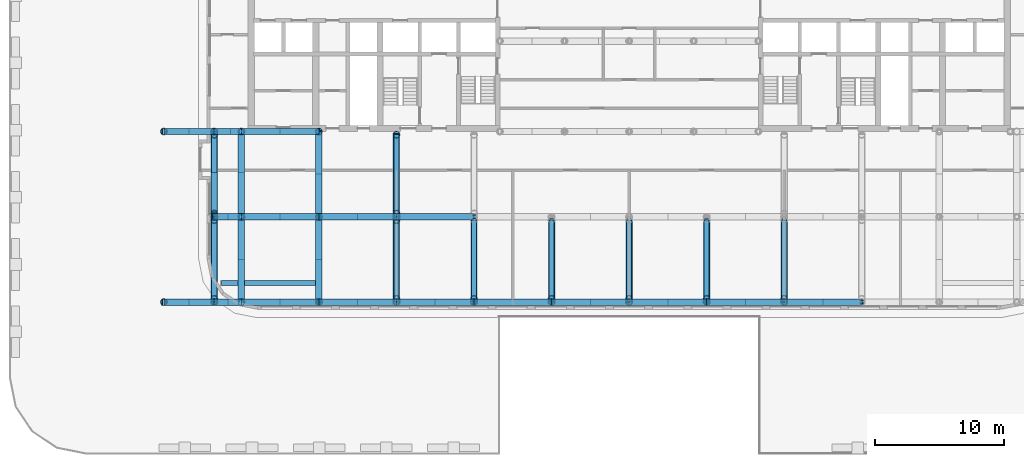
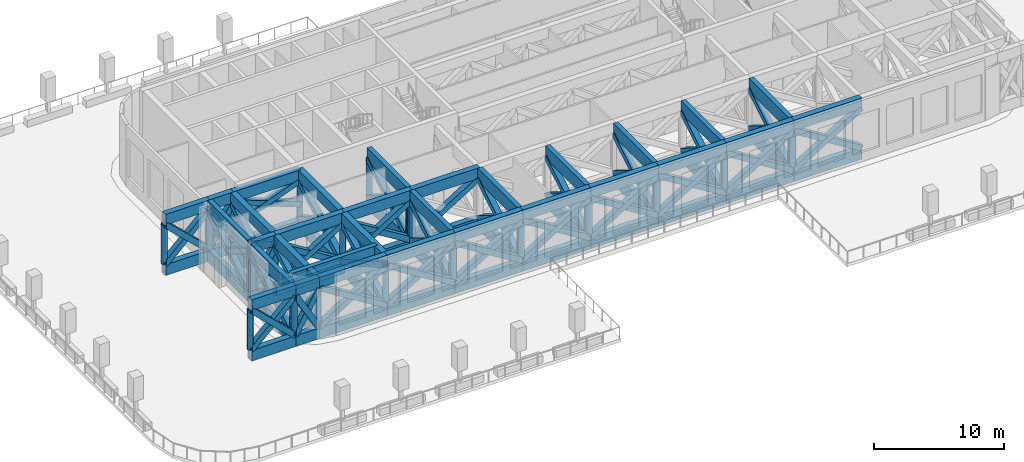
# One storey, part 1 of 20: 90 members, 61 beams.
"""IFC4 building model written with IfcOpenShell, lengths in metres."""

from ifc_helpers import new_model, si_unit, direction, frame, origin, origin_2d, place, context, subcontext, project, spatial, hollow_rectangle, hollow_circle, extrude, material, material_profile, profile_set, type_object, element, save


model = new_model("IFC4")

# Units and contexts
model_context = context("Model", 3, precision=1e-05, world=origin(), true_north=direction((0.0, 1.0)))
body_context = subcontext(model_context, "Body", "Model", "MODEL_VIEW")
ifc_project = project(units=[si_unit("LENGTHUNIT", "METRE"), si_unit("AREAUNIT", "SQUARE_METRE"), si_unit("VOLUMEUNIT", "CUBIC_METRE"), si_unit("PLANEANGLEUNIT", "RADIAN"), si_unit("MASSUNIT", "GRAM", prefix="KILO")], contexts=[model_context])

# Site, building, storey
site_placement = place(None, origin())
site = spatial("IfcSite", under=ifc_project, at=site_placement, CompositionType="ELEMENT")
building_placement = place(site_placement, origin())
building = spatial("IfcBuilding", under=site, at=building_placement, Name="Torana Hotel and Residences", CompositionType="ELEMENT")
storey_placement = place(building_placement, frame((0.0, 0.0, 18.0)))
storey = spatial("IfcBuildingStorey", under=building, at=storey_placement, Name="L03", CompositionType="ELEMENT", Elevation=18.0)

# Beams
ifc_material_1 = material(Name="Steel S355", Category="steel")
ifc_material_profile_1 = material_profile(ifc_material_1, hollow_rectangle(XDim=0.5, YDim=1.0, WallThickness=0.050048828125, at=origin_2d()), Name="BOX 1000x500x50")
ifc_profile_set_1 = profile_set([ifc_material_profile_1], Name="Steel S355")
beam_type_1 = type_object("IfcBeamType", Name="STEEL CHORD BOX 1000x500x50", PredefinedType="BEAM", material=ifc_profile_set_1)
for number, where, z_axis, x_axis, name in (
    (1, (-36.0, -28.199951171875, 0.5), (1.0, 0.0, 0.0), (0.0, 1.0, 0.0), "Transfer chord L03"),
    (2, (-36.0, -28.199951171875, 5.219970703125), (1.0, 0.0, 0.0), (0.0, 1.0, 0.0), "Transfer chord L03"),
):
    element("IfcBeam", number, at=place(storey_placement, frame(where, z_axis=z_axis, x_axis=x_axis)), inside=storey, type_object=beam_type_1, Name=name, PredefinedType="BEAM", context=body_context, shape_type="SweptSolid", body=[
        extrude(hollow_rectangle(XDim=0.5, YDim=1.0, WallThickness=0.050048828125, at=origin_2d()), origin(), (0.0, 0.0, 1.0), 3.89990234375),
    ])
for number, where, z_axis, x_axis, name in (
    (3, (-32.10009765625, -28.199951171875, 0.5), (1.0, 0.0, 0.0), (0.0, 1.0, 0.0), "Transfer chord L03"),
    (4, (-32.10009765625, -28.199951171875, 5.219970703125), (1.0, 0.0, 0.0), (0.0, 1.0, 0.0), "Transfer chord L03"),
):
    element("IfcBeam", number, at=place(storey_placement, frame(where, z_axis=z_axis, x_axis=x_axis)), inside=storey, type_object=beam_type_1, Name=name, PredefinedType="BEAM", context=body_context, shape_type="SweptSolid", body=[
        extrude(hollow_rectangle(XDim=0.5, YDim=1.0, WallThickness=0.050048828125, at=origin_2d()), origin(), (0.0, 0.0, 1.0), 2.10009765625),
    ])
for number, where, z_axis, x_axis, name in (
    (5, (-30.0, -28.199951171875, 0.5), (1.0, 0.0, 0.0), (0.0, 1.0, 0.0), "Transfer chord L03"),
    (6, (-30.0, -28.199951171875, 5.219970703125), (1.0, 0.0, 0.0), (0.0, 1.0, 0.0), "Transfer chord L03"),
    (7, (-24.0, -28.199951171875, 0.5), (1.0, 0.0, 0.0), (0.0, 1.0, 0.0), "Transfer chord L03"),
    (8, (-24.0, -28.199951171875, 5.219970703125), (1.0, 0.0, 0.0), (0.0, 1.0, 0.0), "Transfer chord L03"),
    (9, (-18.0, -28.199951171875, 0.5), (1.0, 0.0, 0.0), (0.0, 1.0, 0.0), "Transfer chord L03"),
    (10, (-18.0, -28.199951171875, 5.219970703125), (1.0, 0.0, 0.0), (0.0, 1.0, 0.0), "Transfer chord L03"),
    (11, (-12.0, -28.199951171875, 0.5), (1.0, 0.0, 0.0), (0.0, 1.0, 0.0), "Transfer chord L03"),
    (12, (-12.0, -28.199951171875, 5.219970703125), (1.0, 0.0, 0.0), (0.0, 1.0, 0.0), "Transfer chord L03"),
    (13, (-6.0, -28.199951171875, 0.5), (1.0, 0.0, 0.0), (0.0, 1.0, 0.0), "Transfer chord L03"),
    (14, (-6.0, -28.199951171875, 5.219970703125), (1.0, 0.0, 0.0), (0.0, 1.0, 0.0), "Transfer chord L03"),
    (15, (0.0, -28.199951171875, 0.5), (1.0, 0.0, 0.0), (0.0, 1.0, 0.0), "Transfer chord L03"),
    (16, (0.0, -28.199951171875, 5.219970703125), (1.0, 0.0, 0.0), (0.0, 1.0, 0.0), "Transfer chord L03"),
    (17, (6.0, -28.199951171875, 0.5), (1.0, 0.0, 0.0), (0.0, 1.0, 0.0), "Transfer chord L03"),
    (18, (6.0, -28.199951171875, 5.219970703125), (1.0, 0.0, 0.0), (0.0, 1.0, 0.0), "Transfer chord L03"),
    (19, (12.0, -28.199951171875, 0.5), (1.0, 0.0, 0.0), (0.0, 1.0, 0.0), "Transfer chord L03"),
    (20, (12.0, -28.199951171875, 5.219970703125), (1.0, 0.0, 0.0), (0.0, 1.0, 0.0), "Transfer chord L03"),
):
    element("IfcBeam", number, at=place(storey_placement, frame(where, z_axis=z_axis, x_axis=x_axis)), inside=storey, type_object=beam_type_1, Name=name, PredefinedType="BEAM", context=body_context, shape_type="SweptSolid", body=[
        extrude(hollow_rectangle(XDim=0.5, YDim=1.0, WallThickness=0.050048828125, at=origin_2d()), origin(), (0.0, 0.0, 1.0), 6.0),
    ])
for number, where, z_axis, x_axis, name in (
    (21, (-32.10009765625, -21.60009765625, 0.5), (1.0, 0.0, 0.0), (0.0, 1.0, 0.0), "Transfer chord L03"),
    (22, (-32.10009765625, -21.60009765625, 5.219970703125), (1.0, 0.0, 0.0), (0.0, 1.0, 0.0), "Transfer chord L03"),
):
    element("IfcBeam", number, at=place(storey_placement, frame(where, z_axis=z_axis, x_axis=x_axis)), inside=storey, type_object=beam_type_1, Name=name, PredefinedType="BEAM", context=body_context, shape_type="SweptSolid", body=[
        extrude(hollow_rectangle(XDim=0.5, YDim=1.0, WallThickness=0.050048828125, at=origin_2d()), origin(), (0.0, 0.0, 1.0), 2.10009765625),
    ])
for number, where, z_axis, x_axis, name in (
    (23, (-30.0, -21.60009765625, 0.5), (1.0, 0.0, 0.0), (0.0, 1.0, 0.0), "Transfer chord L03"),
    (24, (-30.0, -21.60009765625, 5.219970703125), (1.0, 0.0, 0.0), (0.0, 1.0, 0.0), "Transfer chord L03"),
    (25, (-24.0, -21.60009765625, 0.5), (1.0, 0.0, 0.0), (0.0, 1.0, 0.0), "Transfer chord L03"),
    (26, (-24.0, -21.60009765625, 5.219970703125), (1.0, 0.0, 0.0), (0.0, 1.0, 0.0), "Transfer chord L03"),
    (27, (-18.0, -21.60009765625, 0.5), (1.0, 0.0, 0.0), (0.0, 1.0, 0.0), "Transfer chord L03"),
    (28, (-18.0, -21.60009765625, 5.219970703125), (1.0, 0.0, 0.0), (0.0, 1.0, 0.0), "Transfer chord L03"),
):
    element("IfcBeam", number, at=place(storey_placement, frame(where, z_axis=z_axis, x_axis=x_axis)), inside=storey, type_object=beam_type_1, Name=name, PredefinedType="BEAM", context=body_context, shape_type="SweptSolid", body=[
        extrude(hollow_rectangle(XDim=0.5, YDim=1.0, WallThickness=0.050048828125, at=origin_2d()), origin(), (0.0, 0.0, 1.0), 6.0),
    ])
for number, where, z_axis, x_axis, name in (
    (29, (-36.0, -15.0, 0.5), (1.0, 0.0, 0.0), (0.0, 1.0, 0.0), "Transfer chord L03"),
    (30, (-36.0, -15.0, 5.219970703125), (1.0, 0.0, 0.0), (0.0, 1.0, 0.0), "Transfer chord L03"),
):
    element("IfcBeam", number, at=place(storey_placement, frame(where, z_axis=z_axis, x_axis=x_axis)), inside=storey, type_object=beam_type_1, Name=name, PredefinedType="BEAM", context=body_context, shape_type="SweptSolid", body=[
        extrude(hollow_rectangle(XDim=0.5, YDim=1.0, WallThickness=0.050048828125, at=origin_2d()), origin(), (0.0, 0.0, 1.0), 3.89990234375),
    ])
for number, where, z_axis, x_axis, name in (
    (31, (-32.10009765625, -15.0, 0.5), (1.0, 0.0, 0.0), (0.0, 1.0, 0.0), "Transfer chord L03"),
    (32, (-32.10009765625, -15.0, 5.219970703125), (1.0, 0.0, 0.0), (0.0, 1.0, 0.0), "Transfer chord L03"),
):
    element("IfcBeam", number, at=place(storey_placement, frame(where, z_axis=z_axis, x_axis=x_axis)), inside=storey, type_object=beam_type_1, Name=name, PredefinedType="BEAM", context=body_context, shape_type="SweptSolid", body=[
        extrude(hollow_rectangle(XDim=0.5, YDim=1.0, WallThickness=0.050048828125, at=origin_2d()), origin(), (0.0, 0.0, 1.0), 2.10009765625),
    ])
for number, where, z_axis, x_axis, name in (
    (33, (-30.0, -15.0, 0.5), (1.0, 0.0, 0.0), (0.0, 1.0, 0.0), "Transfer chord L03"),
    (34, (-30.0, -15.0, 5.219970703125), (1.0, 0.0, 0.0), (0.0, 1.0, 0.0), "Transfer chord L03"),
):
    element("IfcBeam", number, at=place(storey_placement, frame(where, z_axis=z_axis, x_axis=x_axis)), inside=storey, type_object=beam_type_1, Name=name, PredefinedType="BEAM", context=body_context, shape_type="SweptSolid", body=[
        extrude(hollow_rectangle(XDim=0.5, YDim=1.0, WallThickness=0.050048828125, at=origin_2d()), origin(), (0.0, 0.0, 1.0), 6.0),
    ])
for number, where, z_axis, x_axis, name in (
    (35, (-30.0, -28.199951171875, 0.5), (0.0, 1.0, 0.0), (-1.0, 0.0, 0.0), "Transfer chord L03"),
    (36, (-30.0, -28.199951171875, 5.219970703125), (0.0, 1.0, 0.0), (-1.0, 0.0, 0.0), "Transfer chord L03"),
):
    element("IfcBeam", number, at=place(storey_placement, frame(where, z_axis=z_axis, x_axis=x_axis)), inside=storey, type_object=beam_type_1, Name=name, PredefinedType="BEAM", context=body_context, shape_type="SweptSolid", body=[
        extrude(hollow_rectangle(XDim=0.5, YDim=1.0, WallThickness=0.050048828125, at=origin_2d()), origin(), (0.0, 0.0, 1.0), 6.599853515625),
    ])
for number, where, z_axis, x_axis, name in (
    (37, (-30.0, -21.60009765625, 0.5), (0.0, 1.0, 0.0), (-1.0, 0.0, 0.0), "Transfer chord L03"),
    (38, (-30.0, -21.60009765625, 5.219970703125), (0.0, 1.0, 0.0), (-1.0, 0.0, 0.0), "Transfer chord L03"),
):
    element("IfcBeam", number, at=place(storey_placement, frame(where, z_axis=z_axis, x_axis=x_axis)), inside=storey, type_object=beam_type_1, Name=name, PredefinedType="BEAM", context=body_context, shape_type="SweptSolid", body=[
        extrude(hollow_rectangle(XDim=0.5, YDim=1.0, WallThickness=0.050048828125, at=origin_2d()), origin(), (0.0, 0.0, 1.0), 6.60009765625),
    ])
for number, where, z_axis, x_axis, name in (
    (39, (-24.0, -28.199951171875, 0.5), (0.0, 1.0, 0.0), (-1.0, 0.0, 0.0), "Transfer chord L03"),
    (40, (-24.0, -28.199951171875, 5.219970703125), (0.0, 1.0, 0.0), (-1.0, 0.0, 0.0), "Transfer chord L03"),
):
    element("IfcBeam", number, at=place(storey_placement, frame(where, z_axis=z_axis, x_axis=x_axis)), inside=storey, type_object=beam_type_1, Name=name, PredefinedType="BEAM", context=body_context, shape_type="SweptSolid", body=[
        extrude(hollow_rectangle(XDim=0.5, YDim=1.0, WallThickness=0.050048828125, at=origin_2d()), origin(), (0.0, 0.0, 1.0), 6.599853515625),
    ])
for number, where, z_axis, x_axis, name in (
    (41, (-24.0, -21.60009765625, 0.5), (0.0, 1.0, 0.0), (-1.0, 0.0, 0.0), "Transfer chord L03"),
    (42, (-24.0, -21.60009765625, 5.219970703125), (0.0, 1.0, 0.0), (-1.0, 0.0, 0.0), "Transfer chord L03"),
):
    element("IfcBeam", number, at=place(storey_placement, frame(where, z_axis=z_axis, x_axis=x_axis)), inside=storey, type_object=beam_type_1, Name=name, PredefinedType="BEAM", context=body_context, shape_type="SweptSolid", body=[
        extrude(hollow_rectangle(XDim=0.5, YDim=1.0, WallThickness=0.050048828125, at=origin_2d()), origin(), (0.0, 0.0, 1.0), 6.60009765625),
    ])
ifc_material_2 = material(Name="Steel S355", Category="steel")
ifc_material_profile_2 = material_profile(ifc_material_2, hollow_rectangle(XDim=0.39990234375, YDim=1.199951171875, WallThickness=0.0400390625, at=origin_2d()), Name="BOX 1200x400x40")
ifc_profile_set_2 = profile_set([ifc_material_profile_2], Name="Steel S355")
beam_type_2 = type_object("IfcBeamType", Name="STEEL CHORD BOX 1200x400x40", PredefinedType="BEAM", material=ifc_profile_set_2)
for number, where, z_axis, x_axis, name in (
    (43, (-32.10009765625, -27.949951171875, 0.60009765625), (0.0, 1.0, 0.0), (-1.0, 0.0, 0.0), "Transfer chord L03"),
    (44, (-32.10009765625, -27.949951171875, 5.1201171875), (0.0, 1.0, 0.0), (-1.0, 0.0, 0.0), "Transfer chord L03"),
):
    element("IfcBeam", number, at=place(storey_placement, frame(where, z_axis=z_axis, x_axis=x_axis)), inside=storey, type_object=beam_type_2, Name=name, PredefinedType="BEAM", context=body_context, shape_type="SweptSolid", body=[
        extrude(hollow_rectangle(XDim=0.39990234375, YDim=1.199951171875, WallThickness=0.0400390625, at=origin_2d()), origin(), (0.0, 0.0, 1.0), 6.099853515625),
    ])
for number, where, z_axis, x_axis, name in (
    (45, (-32.10009765625, -21.35009765625, 0.60009765625), (0.0, 1.0, 0.0), (-1.0, 0.0, 0.0), "Transfer chord L03"),
    (46, (-32.10009765625, -21.35009765625, 5.1201171875), (0.0, 1.0, 0.0), (-1.0, 0.0, 0.0), "Transfer chord L03"),
):
    element("IfcBeam", number, at=place(storey_placement, frame(where, z_axis=z_axis, x_axis=x_axis)), inside=storey, type_object=beam_type_2, Name=name, PredefinedType="BEAM", context=body_context, shape_type="SweptSolid", body=[
        extrude(hollow_rectangle(XDim=0.39990234375, YDim=1.199951171875, WallThickness=0.0400390625, at=origin_2d()), origin(), (0.0, 0.0, 1.0), 6.10009765625),
    ])
for number, where, z_axis, x_axis, name in (
    (47, (-18.0, -27.949951171875, 0.60009765625), (0.0, 1.0, 0.0), (-1.0, 0.0, 0.0), "Transfer chord L03"),
    (48, (-18.0, -27.949951171875, 5.1201171875), (0.0, 1.0, 0.0), (-1.0, 0.0, 0.0), "Transfer chord L03"),
):
    element("IfcBeam", number, at=place(storey_placement, frame(where, z_axis=z_axis, x_axis=x_axis)), inside=storey, type_object=beam_type_2, Name=name, PredefinedType="BEAM", context=body_context, shape_type="SweptSolid", body=[
        extrude(hollow_rectangle(XDim=0.39990234375, YDim=1.199951171875, WallThickness=0.0400390625, at=origin_2d()), origin(), (0.0, 0.0, 1.0), 6.099853515625),
    ])
for number, where, z_axis, x_axis, name in (
    (49, (-18.0, -21.35009765625, 0.60009765625), (0.0, 1.0, 0.0), (-1.0, 0.0, 0.0), "Transfer chord L03"),
    (50, (-18.0, -21.35009765625, 5.1201171875), (0.0, 1.0, 0.0), (-1.0, 0.0, 0.0), "Transfer chord L03"),
):
    element("IfcBeam", number, at=place(storey_placement, frame(where, z_axis=z_axis, x_axis=x_axis)), inside=storey, type_object=beam_type_2, Name=name, PredefinedType="BEAM", context=body_context, shape_type="SweptSolid", body=[
        extrude(hollow_rectangle(XDim=0.39990234375, YDim=1.199951171875, WallThickness=0.0400390625, at=origin_2d()), origin(), (0.0, 0.0, 1.0), 6.10009765625),
    ])
for number, where, z_axis, x_axis, name in (
    (51, (-12.0, -27.949951171875, 0.60009765625), (0.0, 1.0, 0.0), (-1.0, 0.0, 0.0), "Transfer chord L03"),
    (52, (-12.0, -27.949951171875, 5.1201171875), (0.0, 1.0, 0.0), (-1.0, 0.0, 0.0), "Transfer chord L03"),
    (53, (-6.0, -27.949951171875, 0.60009765625), (0.0, 1.0, 0.0), (-1.0, 0.0, 0.0), "Transfer chord L03"),
    (54, (-6.0, -27.949951171875, 5.1201171875), (0.0, 1.0, 0.0), (-1.0, 0.0, 0.0), "Transfer chord L03"),
    (55, (0.0, -27.949951171875, 0.60009765625), (0.0, 1.0, 0.0), (-1.0, 0.0, 0.0), "Transfer chord L03"),
    (56, (0.0, -27.949951171875, 5.1201171875), (0.0, 1.0, 0.0), (-1.0, 0.0, 0.0), "Transfer chord L03"),
    (57, (6.0, -27.949951171875, 0.60009765625), (0.0, 1.0, 0.0), (-1.0, 0.0, 0.0), "Transfer chord L03"),
    (58, (6.0, -27.949951171875, 5.1201171875), (0.0, 1.0, 0.0), (-1.0, 0.0, 0.0), "Transfer chord L03"),
    (59, (12.0, -27.949951171875, 0.60009765625), (0.0, 1.0, 0.0), (-1.0, 0.0, 0.0), "Transfer chord L03"),
    (60, (12.0, -27.949951171875, 5.1201171875), (0.0, 1.0, 0.0), (-1.0, 0.0, 0.0), "Transfer chord L03"),
):
    element("IfcBeam", number, at=place(storey_placement, frame(where, z_axis=z_axis, x_axis=x_axis)), inside=storey, type_object=beam_type_2, Name=name, PredefinedType="BEAM", context=body_context, shape_type="SweptSolid", body=[
        extrude(hollow_rectangle(XDim=0.39990234375, YDim=1.199951171875, WallThickness=0.0400390625, at=origin_2d()), origin(), (0.0, 0.0, 1.0), 6.099853515625),
    ])
beam_placement = place(storey_placement, frame((-31.5400390625, -26.72998046875, 5.1201171875), z_axis=(1.0, 0.0, 0.0), x_axis=(0.0, 1.0, 0.0)))
element("IfcBeam", 61, at=beam_placement, inside=storey, type_object=beam_type_2, Name="Transfer link L03", PredefinedType="BEAM", context=body_context, shape_type="SweptSolid", body=[
    extrude(hollow_rectangle(XDim=0.39990234375, YDim=1.199951171875, WallThickness=0.0400390625, at=origin_2d()), origin(), (0.0, 0.0, 1.0), 7.5400390625),
])

# Members
ifc_material_3 = material(Name="Steel S355", Category="steel")
ifc_material_profile_3 = material_profile(ifc_material_3, hollow_rectangle(XDim=0.5, YDim=0.5, WallThickness=0.10009765625, at=origin_2d()), Name="BOX 500x500x100")
ifc_profile_set_3 = profile_set([ifc_material_profile_3], Name="Steel S355")
member_type_1 = type_object("IfcMemberType", Name="STEEL DIAGONAL BOX 500x500x100", PredefinedType="BRACE", material=ifc_profile_set_3)
for number, where, z_axis, x_axis, name in (
    (62, (-36.0, -28.199951171875, 1.0), (0.72360231493, 0.0, 0.690217132377), (0.0, 1.0, 0.0), "Truss diagonal L03"),
    (63, (-32.10009765625, -28.199951171875, 1.0), (-0.72360231493, 0.0, 0.690217132377), (0.0, -1.0, 0.0), "Truss diagonal L03"),
):
    element("IfcMember", number, at=place(storey_placement, frame(where, z_axis=z_axis, x_axis=x_axis)), inside=storey, type_object=member_type_1, Name=name, PredefinedType="BRACE", context=body_context, shape_type="SweptSolid", body=[
        extrude(hollow_rectangle(XDim=0.5, YDim=0.5, WallThickness=0.10009765625, at=origin_2d()), origin(), (0.0, 0.0, 1.0), 5.3896484375),
    ])
for number, where, z_axis, x_axis, name in (
    (64, (-32.10009765625, -28.199951171875, 1.0), (0.491614639726, 0.0, 0.87081286509), (0.0, 1.0, 0.0), "Truss diagonal L03"),
    (65, (-30.0, -28.199951171875, 1.0), (-0.491614639726, 0.0, 0.87081286509), (0.0, -1.0, 0.0), "Truss diagonal L03"),
):
    element("IfcMember", number, at=place(storey_placement, frame(where, z_axis=z_axis, x_axis=x_axis)), inside=storey, type_object=member_type_1, Name=name, PredefinedType="BRACE", context=body_context, shape_type="SweptSolid", body=[
        extrude(hollow_rectangle(XDim=0.5, YDim=0.5, WallThickness=0.10009765625, at=origin_2d()), origin(), (0.0, 0.0, 1.0), 4.271728515625),
    ])
for number, where, z_axis, x_axis, name in (
    (66, (-30.0, -28.199951171875, 1.0), (0.84990455024, 0.0, 0.526936671224), (0.0, 1.0, 0.0), "Truss diagonal L03"),
    (67, (-24.0, -28.199951171875, 1.0), (-0.84990455024, 0.0, 0.526936671224), (0.0, -1.0, 0.0), "Truss diagonal L03"),
    (68, (-24.0, -28.199951171875, 1.0), (0.84990455024, 0.0, 0.526936671224), (0.0, 1.0, 0.0), "Truss diagonal L03"),
    (69, (-18.0, -28.199951171875, 1.0), (-0.84990455024, 0.0, 0.526936671224), (0.0, -1.0, 0.0), "Truss diagonal L03"),
    (70, (-18.0, -28.199951171875, 1.0), (0.84990455024, 0.0, 0.526936671224), (0.0, 1.0, 0.0), "Truss diagonal L03"),
    (71, (-12.0, -28.199951171875, 1.0), (-0.84990455024, 0.0, 0.526936671224), (0.0, -1.0, 0.0), "Truss diagonal L03"),
    (72, (-12.0, -28.199951171875, 1.0), (0.84990455024, 0.0, 0.526936671224), (0.0, 1.0, 0.0), "Truss diagonal L03"),
    (73, (-6.0, -28.199951171875, 1.0), (-0.84990455024, 0.0, 0.526936671224), (0.0, -1.0, 0.0), "Truss diagonal L03"),
    (74, (-6.0, -28.199951171875, 1.0), (0.84990455024, 0.0, 0.526936671224), (0.0, 1.0, 0.0), "Truss diagonal L03"),
    (75, (0.0, -28.199951171875, 1.0), (-0.84990455024, 0.0, 0.526936671224), (0.0, -1.0, 0.0), "Truss diagonal L03"),
    (76, (0.0, -28.199951171875, 1.0), (0.84990455024, 0.0, 0.526936671224), (0.0, 1.0, 0.0), "Truss diagonal L03"),
    (77, (6.0, -28.199951171875, 1.0), (-0.84990455024, 0.0, 0.526936671224), (0.0, -1.0, 0.0), "Truss diagonal L03"),
    (78, (6.0, -28.199951171875, 1.0), (0.84990455024, 0.0, 0.526936671224), (0.0, 1.0, 0.0), "Truss diagonal L03"),
    (79, (12.0, -28.199951171875, 1.0), (-0.84990455024, 0.0, 0.526936671224), (0.0, -1.0, 0.0), "Truss diagonal L03"),
    (80, (12.0, -28.199951171875, 1.0), (0.84990455024, 0.0, 0.526936671224), (0.0, 1.0, 0.0), "Truss diagonal L03"),
    (81, (18.0, -28.199951171875, 1.0), (-0.84990455024, 0.0, 0.526936671224), (0.0, -1.0, 0.0), "Truss diagonal L03"),
):
    element("IfcMember", number, at=place(storey_placement, frame(where, z_axis=z_axis, x_axis=x_axis)), inside=storey, type_object=member_type_1, Name=name, PredefinedType="BRACE", context=body_context, shape_type="SweptSolid", body=[
        extrude(hollow_rectangle(XDim=0.5, YDim=0.5, WallThickness=0.10009765625, at=origin_2d()), origin(), (0.0, 0.0, 1.0), 7.0595703125),
    ])
for number, where, z_axis, x_axis, name in (
    (82, (-32.10009765625, -21.60009765625, 1.0), (0.491614639726, 0.0, 0.87081286509), (0.0, 1.0, 0.0), "Truss diagonal L03"),
    (83, (-30.0, -21.60009765625, 1.0), (-0.491614639726, 0.0, 0.87081286509), (0.0, -1.0, 0.0), "Truss diagonal L03"),
):
    element("IfcMember", number, at=place(storey_placement, frame(where, z_axis=z_axis, x_axis=x_axis)), inside=storey, type_object=member_type_1, Name=name, PredefinedType="BRACE", context=body_context, shape_type="SweptSolid", body=[
        extrude(hollow_rectangle(XDim=0.5, YDim=0.5, WallThickness=0.10009765625, at=origin_2d()), origin(), (0.0, 0.0, 1.0), 4.271728515625),
    ])
for number, where, z_axis, x_axis, name in (
    (84, (-30.0, -21.60009765625, 1.0), (0.84990455024, 0.0, 0.526936671224), (0.0, 1.0, 0.0), "Truss diagonal L03"),
    (85, (-24.0, -21.60009765625, 1.0), (-0.84990455024, 0.0, 0.526936671224), (0.0, -1.0, 0.0), "Truss diagonal L03"),
    (86, (-24.0, -21.60009765625, 1.0), (0.84990455024, 0.0, 0.526936671224), (0.0, 1.0, 0.0), "Truss diagonal L03"),
    (87, (-18.0, -21.60009765625, 1.0), (-0.84990455024, 0.0, 0.526936671224), (0.0, -1.0, 0.0), "Truss diagonal L03"),
    (88, (-18.0, -21.60009765625, 1.0), (0.84990455024, 0.0, 0.526936671224), (0.0, 1.0, 0.0), "Truss diagonal L03"),
):
    element("IfcMember", number, at=place(storey_placement, frame(where, z_axis=z_axis, x_axis=x_axis)), inside=storey, type_object=member_type_1, Name=name, PredefinedType="BRACE", context=body_context, shape_type="SweptSolid", body=[
        extrude(hollow_rectangle(XDim=0.5, YDim=0.5, WallThickness=0.10009765625, at=origin_2d()), origin(), (0.0, 0.0, 1.0), 7.0595703125),
    ])
for number, where, z_axis, x_axis, name in (
    (89, (-36.0, -15.0, 1.0), (0.72360231493, 0.0, 0.690217132377), (0.0, 1.0, 0.0), "Truss diagonal L03"),
    (90, (-32.10009765625, -15.0, 1.0), (-0.72360231493, 0.0, 0.690217132377), (0.0, -1.0, 0.0), "Truss diagonal L03"),
):
    element("IfcMember", number, at=place(storey_placement, frame(where, z_axis=z_axis, x_axis=x_axis)), inside=storey, type_object=member_type_1, Name=name, PredefinedType="BRACE", context=body_context, shape_type="SweptSolid", body=[
        extrude(hollow_rectangle(XDim=0.5, YDim=0.5, WallThickness=0.10009765625, at=origin_2d()), origin(), (0.0, 0.0, 1.0), 5.3896484375),
    ])
member_1_placement = place(storey_placement, frame((-32.10009765625, -15.0, 1.0), z_axis=(0.491614639726, 0.0, 0.87081286509), x_axis=(0.0, 1.0, 0.0)))
element("IfcMember", 91, at=member_1_placement, inside=storey, type_object=member_type_1, Name="Truss diagonal L03", PredefinedType="BRACE", context=body_context, shape_type="SweptSolid", body=[
    extrude(hollow_rectangle(XDim=0.5, YDim=0.5, WallThickness=0.10009765625, at=origin_2d()), origin(), (0.0, 0.0, 1.0), 4.271728515625),
])
member_2_placement = place(storey_placement, frame((-31.050048828125, -15.0, 2.860107421875), z_axis=(-0.491639107428, 0.0, 0.870799051474), x_axis=(0.0, -1.0, 0.0)))
element("IfcMember", 92, at=member_2_placement, inside=storey, type_object=member_type_1, Name="Truss diagonal L03", PredefinedType="BRACE", context=body_context, shape_type="SweptSolid", body=[
    extrude(hollow_rectangle(XDim=0.5, YDim=0.5, WallThickness=0.10009765625, at=origin_2d()), origin(), (0.0, 0.0, 1.0), 2.1357421875),
])
for number, where, z_axis, x_axis, name in (
    (93, (-30.0, -15.0, 2.449951171875), (0.935299193923, 0.0, 0.353857906295), (0.0, 1.0, 0.0), "Truss diagonal L03"),
    (94, (-24.0, -15.0, 2.449951171875), (-0.935299193923, 0.0, 0.353857906295), (0.0, -1.0, 0.0), "Truss diagonal L03"),
):
    element("IfcMember", number, at=place(storey_placement, frame(where, z_axis=z_axis, x_axis=x_axis)), inside=storey, type_object=member_type_1, Name=name, PredefinedType="BRACE", context=body_context, shape_type="SweptSolid", body=[
        extrude(hollow_rectangle(XDim=0.5, YDim=0.5, WallThickness=0.10009765625, at=origin_2d()), origin(), (0.0, 0.0, 1.0), 6.4150390625),
    ])
for number, where, z_axis, x_axis, name in (
    (95, (-30.0, -28.199951171875, 1.0), (0.0, 0.871149201699, 0.491018399226), (-1.0, 0.0, 0.0), "Truss diagonal L03"),
    (96, (-30.0, -21.60009765625, 1.0), (0.0, -0.871149201699, 0.491018399226), (1.0, 0.0, 0.0), "Truss diagonal L03"),
):
    element("IfcMember", number, at=place(storey_placement, frame(where, z_axis=z_axis, x_axis=x_axis)), inside=storey, type_object=member_type_1, Name=name, PredefinedType="BRACE", context=body_context, shape_type="SweptSolid", body=[
        extrude(hollow_rectangle(XDim=0.5, YDim=0.5, WallThickness=0.10009765625, at=origin_2d()), origin(), (0.0, 0.0, 1.0), 7.575927734375),
    ])
member_3_placement = place(storey_placement, frame((-30.0, -21.60009765625, 1.0), z_axis=(0.0, 0.871156970886, 0.491004615128), x_axis=(-1.0, 0.0, 0.0)))
element("IfcMember", 97, at=member_3_placement, inside=storey, type_object=member_type_1, Name="Truss diagonal L03", PredefinedType="BRACE", context=body_context, shape_type="SweptSolid", body=[
    extrude(hollow_rectangle(XDim=0.5, YDim=0.5, WallThickness=0.10009765625, at=origin_2d()), origin(), (0.0, 0.0, 1.0), 7.576171875),
])
member_4_placement = place(storey_placement, frame((-30.0, -18.300048828125, 2.860107421875), z_axis=(0.0, -0.871170754533, 0.490980158913), x_axis=(1.0, 0.0, 0.0)))
element("IfcMember", 98, at=member_4_placement, inside=storey, type_object=member_type_1, Name="Truss diagonal L03", PredefinedType="BRACE", context=body_context, shape_type="SweptSolid", body=[
    extrude(hollow_rectangle(XDim=0.5, YDim=0.5, WallThickness=0.10009765625, at=origin_2d()), origin(), (0.0, 0.0, 1.0), 3.7880859375),
])
for number, where, z_axis, x_axis, name in (
    (99, (-24.0, -28.199951171875, 1.0), (0.0, 0.871149201699, 0.491018399226), (-1.0, 0.0, 0.0), "Truss diagonal L03"),
    (100, (-24.0, -21.60009765625, 1.0), (0.0, -0.871149201699, 0.491018399226), (1.0, 0.0, 0.0), "Truss diagonal L03"),
):
    element("IfcMember", number, at=place(storey_placement, frame(where, z_axis=z_axis, x_axis=x_axis)), inside=storey, type_object=member_type_1, Name=name, PredefinedType="BRACE", context=body_context, shape_type="SweptSolid", body=[
        extrude(hollow_rectangle(XDim=0.5, YDim=0.5, WallThickness=0.10009765625, at=origin_2d()), origin(), (0.0, 0.0, 1.0), 7.575927734375),
    ])
for number, where, z_axis, x_axis, name in (
    (101, (-24.0, -21.60009765625, 1.0), (0.0, 0.871156970886, 0.491004615128), (-1.0, 0.0, 0.0), "Truss diagonal L03"),
    (102, (-24.0, -15.0, 1.0), (0.0, -0.871156970886, 0.491004615128), (1.0, 0.0, 0.0), "Truss diagonal L03"),
):
    element("IfcMember", number, at=place(storey_placement, frame(where, z_axis=z_axis, x_axis=x_axis)), inside=storey, type_object=member_type_1, Name=name, PredefinedType="BRACE", context=body_context, shape_type="SweptSolid", body=[
        extrude(hollow_rectangle(XDim=0.5, YDim=0.5, WallThickness=0.10009765625, at=origin_2d()), origin(), (0.0, 0.0, 1.0), 7.576171875),
    ])
for number, where, z_axis, x_axis, name in (
    (103, (-32.10009765625, -27.949951171875, 1.0), (0.0, 0.853762091888, 0.520663317755), (-1.0, 0.0, 0.0), "Truss diagonal L03"),
    (104, (-32.10009765625, -21.85009765625, 1.0), (0.0, -0.853762091888, 0.520663317755), (1.0, 0.0, 0.0), "Truss diagonal L03"),
    (105, (-32.10009765625, -21.35009765625, 1.0), (0.0, 0.853771354905, 0.520648128339), (-1.0, 0.0, 0.0), "Truss diagonal L03"),
):
    element("IfcMember", number, at=place(storey_placement, frame(where, z_axis=z_axis, x_axis=x_axis)), inside=storey, type_object=member_type_1, Name=name, PredefinedType="BRACE", context=body_context, shape_type="SweptSolid", body=[
        extrude(hollow_rectangle(XDim=0.5, YDim=0.5, WallThickness=0.10009765625, at=origin_2d()), origin(), (0.0, 0.0, 1.0), 7.144775390625),
    ])
member_5_placement = place(storey_placement, frame((-32.10009765625, -18.300048828125, 2.860107421875), z_axis=(0.0, -0.853786543866, 0.520623220297), x_axis=(1.0, 0.0, 0.0)))
element("IfcMember", 106, at=member_5_placement, inside=storey, type_object=member_type_1, Name="Truss diagonal L03", PredefinedType="BRACE", context=body_context, shape_type="SweptSolid", body=[
    extrude(hollow_rectangle(XDim=0.5, YDim=0.5, WallThickness=0.10009765625, at=origin_2d()), origin(), (0.0, 0.0, 1.0), 3.572265625),
])
for number, where, z_axis, x_axis, name in (
    (107, (-18.0, -27.949951171875, 1.0), (0.0, 0.853762091888, 0.520663317755), (-1.0, 0.0, 0.0), "Truss diagonal L03"),
    (108, (-18.0, -21.85009765625, 1.0), (0.0, -0.853762091888, 0.520663317755), (1.0, 0.0, 0.0), "Truss diagonal L03"),
    (109, (-18.0, -21.35009765625, 1.0), (0.0, 0.853771354905, 0.520648128339), (-1.0, 0.0, 0.0), "Truss diagonal L03"),
    (110, (-18.0, -15.25, 1.0), (0.0, -0.853771354905, 0.520648128339), (1.0, 0.0, 0.0), "Truss diagonal L03"),
    (111, (-12.0, -27.949951171875, 1.0), (0.0, 0.853762091888, 0.520663317755), (-1.0, 0.0, 0.0), "Truss diagonal L03"),
    (112, (-12.0, -21.85009765625, 1.0), (0.0, -0.853762091888, 0.520663317755), (1.0, 0.0, 0.0), "Truss diagonal L03"),
    (113, (-6.0, -27.949951171875, 1.0), (0.0, 0.853762091888, 0.520663317755), (-1.0, 0.0, 0.0), "Truss diagonal L03"),
    (114, (-6.0, -21.85009765625, 1.0), (0.0, -0.853762091888, 0.520663317755), (1.0, 0.0, 0.0), "Truss diagonal L03"),
    (115, (0.0, -27.949951171875, 1.0), (0.0, 0.853762091888, 0.520663317755), (-1.0, 0.0, 0.0), "Truss diagonal L03"),
    (116, (0.0, -21.85009765625, 1.0), (0.0, -0.853762091888, 0.520663317755), (1.0, 0.0, 0.0), "Truss diagonal L03"),
    (117, (6.0, -27.949951171875, 1.0), (0.0, 0.853762091888, 0.520663317755), (-1.0, 0.0, 0.0), "Truss diagonal L03"),
    (118, (6.0, -21.85009765625, 1.0), (0.0, -0.853762091888, 0.520663317755), (1.0, 0.0, 0.0), "Truss diagonal L03"),
    (119, (12.0, -27.949951171875, 1.0), (0.0, 0.853762091888, 0.520663317755), (-1.0, 0.0, 0.0), "Truss diagonal L03"),
    (120, (12.0, -21.85009765625, 1.0), (0.0, -0.853762091888, 0.520663317755), (1.0, 0.0, 0.0), "Truss diagonal L03"),
):
    element("IfcMember", number, at=place(storey_placement, frame(where, z_axis=z_axis, x_axis=x_axis)), inside=storey, type_object=member_type_1, Name=name, PredefinedType="BRACE", context=body_context, shape_type="SweptSolid", body=[
        extrude(hollow_rectangle(XDim=0.5, YDim=0.5, WallThickness=0.10009765625, at=origin_2d()), origin(), (0.0, 0.0, 1.0), 7.144775390625),
    ])
ifc_material_4 = material(Name="Steel S355", Category="steel")
ifc_material_profile_4 = material_profile(ifc_material_4, hollow_circle(Radius=0.25390625, WallThickness=0.01611328125, at=origin_2d()), Name="508x16 CHS")
ifc_profile_set_4 = profile_set([ifc_material_profile_4], Name="Steel S355")
member_type_2 = type_object("IfcMemberType", Name="STEEL POST 508x16 CHS", PredefinedType="POST", material=ifc_profile_set_4)
for number, where, z_axis, x_axis, name in (
    (121, (-36.0, -28.199951171875, 1.0), (0.0, 0.0, 1.0), (1.0, 0.0, 0.0), "Truss post L03"),
    (122, (-32.10009765625, -28.199951171875, 1.0), (0.0, 0.0, 1.0), (1.0, 0.0, 0.0), "Truss post L03"),
    (123, (-30.0, -28.199951171875, 1.0), (0.0, 0.0, 1.0), (1.0, 0.0, 0.0), "Truss post L03"),
    (124, (-24.0, -28.199951171875, 1.0), (0.0, 0.0, 1.0), (1.0, 0.0, 0.0), "Truss post L03"),
    (125, (-18.0, -28.199951171875, 1.0), (0.0, 0.0, 1.0), (1.0, 0.0, 0.0), "Truss post L03"),
    (126, (-12.0, -28.199951171875, 1.0), (0.0, 0.0, 1.0), (1.0, 0.0, 0.0), "Truss post L03"),
    (127, (-6.0, -28.199951171875, 1.0), (0.0, 0.0, 1.0), (1.0, 0.0, 0.0), "Truss post L03"),
    (128, (0.0, -28.199951171875, 1.0), (0.0, 0.0, 1.0), (1.0, 0.0, 0.0), "Truss post L03"),
    (129, (6.0, -28.199951171875, 1.0), (0.0, 0.0, 1.0), (1.0, 0.0, 0.0), "Truss post L03"),
    (130, (12.0, -28.199951171875, 1.0), (0.0, 0.0, 1.0), (1.0, 0.0, 0.0), "Truss post L03"),
    (131, (-32.10009765625, -21.60009765625, 1.0), (0.0, 0.0, 1.0), (1.0, 0.0, 0.0), "Truss post L03"),
    (132, (-30.0, -21.60009765625, 1.0), (0.0, 0.0, 1.0), (1.0, 0.0, 0.0), "Truss post L03"),
    (133, (-24.0, -21.60009765625, 1.0), (0.0, 0.0, 1.0), (1.0, 0.0, 0.0), "Truss post L03"),
    (134, (-18.0, -21.60009765625, 1.0), (0.0, 0.0, 1.0), (1.0, 0.0, 0.0), "Truss post L03"),
    (135, (-36.0, -15.0, 1.0), (0.0, 0.0, 1.0), (1.0, 0.0, 0.0), "Truss post L03"),
    (136, (-32.10009765625, -15.0, 1.0), (0.0, 0.0, 1.0), (1.0, 0.0, 0.0), "Truss post L03"),
    (137, (-30.0, -15.0, 1.0), (0.0, 0.0, 1.0), (1.0, 0.0, 0.0), "Truss post L03"),
    (138, (-24.0, -15.0, 1.0), (0.0, 0.0, 1.0), (1.0, 0.0, 0.0), "Truss post L03"),
    (139, (-32.10009765625, -27.949951171875, 1.0), (0.0, 0.0, 1.0), (1.0, 0.0, 0.0), "Truss post L03"),
    (140, (-32.10009765625, -21.85009765625, 1.0), (0.0, 0.0, 1.0), (1.0, 0.0, 0.0), "Truss post L03"),
    (141, (-32.10009765625, -21.35009765625, 1.0), (0.0, 0.0, 1.0), (1.0, 0.0, 0.0), "Truss post L03"),
    (142, (-32.10009765625, -15.25, 1.0), (0.0, 0.0, 1.0), (1.0, 0.0, 0.0), "Truss post L03"),
    (143, (-18.0, -27.949951171875, 1.0), (0.0, 0.0, 1.0), (1.0, 0.0, 0.0), "Truss post L03"),
    (144, (-18.0, -21.85009765625, 1.0), (0.0, 0.0, 1.0), (1.0, 0.0, 0.0), "Truss post L03"),
    (145, (-18.0, -21.35009765625, 1.0), (0.0, 0.0, 1.0), (1.0, 0.0, 0.0), "Truss post L03"),
    (146, (-18.0, -15.25, 1.0), (0.0, 0.0, 1.0), (1.0, 0.0, 0.0), "Truss post L03"),
    (147, (-12.0, -27.949951171875, 1.0), (0.0, 0.0, 1.0), (1.0, 0.0, 0.0), "Truss post L03"),
    (148, (-6.0, -27.949951171875, 1.0), (0.0, 0.0, 1.0), (1.0, 0.0, 0.0), "Truss post L03"),
    (149, (0.0, -27.949951171875, 1.0), (0.0, 0.0, 1.0), (1.0, 0.0, 0.0), "Truss post L03"),
    (150, (6.0, -27.949951171875, 1.0), (0.0, 0.0, 1.0), (1.0, 0.0, 0.0), "Truss post L03"),
    (151, (12.0, -27.949951171875, 1.0), (0.0, 0.0, 1.0), (1.0, 0.0, 0.0), "Truss post L03"),
):
    element("IfcMember", number, at=place(storey_placement, frame(where, z_axis=z_axis, x_axis=x_axis)), inside=storey, type_object=member_type_2, Name=name, PredefinedType="POST", context=body_context, shape_type="SweptSolid", body=[
        extrude(hollow_circle(Radius=0.25390625, WallThickness=0.01611328125, at=origin_2d()), origin(), (0.0, 0.0, 1.0), 3.719970703125),
    ])

save(model, "model.ifc")
